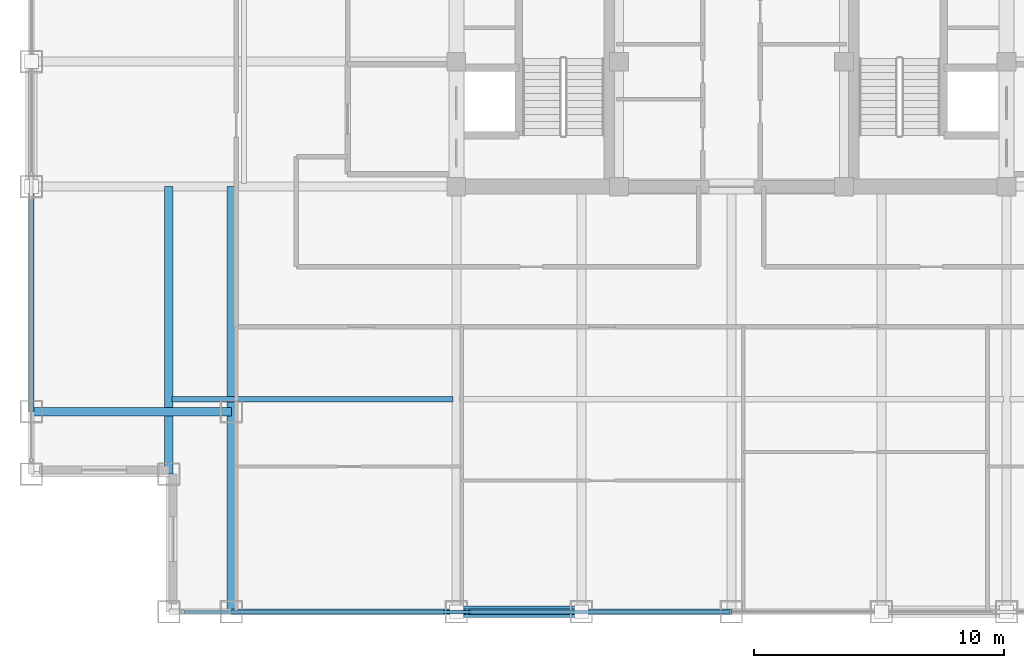
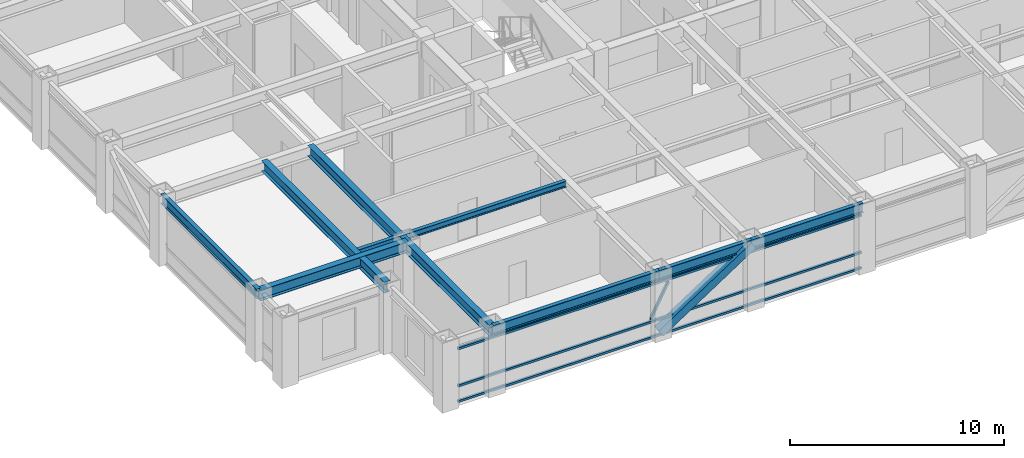
# One storey, part 3 of 22: 8 beams, 5 members, 1 element without a shape of its own.
"""IFC4 building model written with IfcOpenShell, lengths in metres."""

from ifc_helpers import new_model, si_unit, direction, frame, origin, origin_2d, place, context, subcontext, project, spatial, hollow_rectangle, i_section, extrude, source, transform, mapped, material, material_profile, profile_set, type_object, element, aggregate, save


model = new_model("IFC4")

# Units and contexts
model_context = context("Model", 3, precision=1e-05, world=origin(), true_north=direction((0.0, 1.0)))
body_context = subcontext(model_context, "Body", "Model", "MODEL_VIEW")
ifc_project = project(units=[si_unit("LENGTHUNIT", "METRE"), si_unit("AREAUNIT", "SQUARE_METRE"), si_unit("VOLUMEUNIT", "CUBIC_METRE"), si_unit("PLANEANGLEUNIT", "RADIAN"), si_unit("MASSUNIT", "GRAM", prefix="KILO")], contexts=[model_context])

# Site, building, storey
site_placement = place(None, origin())
site = spatial("IfcSite", under=ifc_project, at=site_placement, CompositionType="ELEMENT")
building_placement = place(site_placement, origin())
building = spatial("IfcBuilding", under=site, at=building_placement, Name="Khorayat Bourse Tower", CompositionType="ELEMENT")
storey_placement = place(building_placement, frame((0.0, 0.0, 297.5)))
storey = spatial("IfcBuildingStorey", under=building, at=storey_placement, Name="L70", CompositionType="ELEMENT", Elevation=297.5)

# Beam
ifc_material_1 = material(Name="Steel ASTM A992 Grade 50", Category="steel")
ifc_material_profile_1 = material_profile(ifc_material_1, i_section(OverallWidth=0.324951171875, OverallDepth=0.615966796875, WebThickness=0.013916015625, FlangeThickness=0.021484375, FilletRadius=0.01611328125, at=origin_2d()), Name="W610X174")
ifc_profile_set_1 = profile_set([ifc_material_profile_1], Name="Steel ASTM A992 Grade 50")
beam_type_1 = type_object("IfcBeamType", Name="BM-GIRD-610", PredefinedType="BEAM", material=ifc_profile_set_1)
shared_shape_1 = source(origin(), body_context, "Body", "SweptSolid", [
    extrude(i_section(OverallWidth=0.324951171875, OverallDepth=0.615966796875, WebThickness=0.013916015625, FlangeThickness=0.021484375, FilletRadius=0.01611328125, at=origin_2d()), origin(), (0.0, 0.0, 1.0), 17.0),
])
beam_1_placement = place(storey_placement, frame((-20.0, -28.0, 3.471923828125), z_axis=(0.0, 1.0, 0.0), x_axis=(-1.0, 0.0, 0.0)))
element("IfcBeam", 1, at=beam_1_placement, inside=storey, type_object=beam_type_1, Name="L70 BM-GIRD-610 BM-L70-CNRY-084", PredefinedType="BEAM", context=body_context, shape_type="MappedRepresentation", body=[
    mapped(shared_shape_1, transform((0.0, 0.0, 0.0), scale=1.0)),
])

# Member
ifc_material_2 = material(Name="Steel EN 10025-4 S460M", Category="steel")
ifc_material_profile_2 = material_profile(ifc_material_2, hollow_rectangle(XDim=0.449951171875, YDim=0.449951171875, WallThickness=0.02490234375, at=origin_2d()), Name="HSS 450x450x25")
ifc_profile_set_2 = profile_set([ifc_material_profile_2], Name="Steel EN 10025-4 S460M")
member_type_1 = type_object("IfcMemberType", Name="MBR-TUBE-450", PredefinedType="BRACE", material=ifc_profile_set_2)
shared_shape_2 = source(origin(), body_context, "Body", "SweptSolid", [
    extrude(hollow_rectangle(XDim=0.449951171875, YDim=0.449951171875, WallThickness=0.02490234375, at=origin_2d()), origin(), (0.0, 0.0, 1.0), 5.979736328125),
])
member_1_placement = place(storey_placement, frame((-11.0, -28.0, 0.25), z_axis=(0.836141536525, 0.0, 0.548513747227), x_axis=(0.0, 1.0, 0.0)))
element("IfcMember", 2, at=member_1_placement, inside=storey, type_object=member_type_1, Name="L70 Perimeter Tube Brace 01", PredefinedType="BRACE", context=body_context, shape_type="MappedRepresentation", body=[
    mapped(shared_shape_2, transform((0.0, 0.0, 0.0), scale=1.0)),
])

# Beams
shared_shape_3 = source(origin(), body_context, "Body", "SweptSolid", [
    extrude(i_section(OverallWidth=0.324951171875, OverallDepth=0.615966796875, WebThickness=0.013916015625, FlangeThickness=0.021484375, FilletRadius=0.01611328125, at=origin_2d()), origin(), (0.0, 0.0, 1.0), 11.5),
])
beam_2_placement = place(storey_placement, frame((-22.5, -22.5, 3.471923828125), z_axis=(0.0, 1.0, 0.0), x_axis=(-1.0, 0.0, 0.0)))
element("IfcBeam", 3, at=beam_2_placement, inside=storey, type_object=beam_type_1, Name="L70 BM-GIRD-610 BM-L70-CNRY-088", PredefinedType="BEAM", context=body_context, shape_type="MappedRepresentation", body=[
    mapped(shared_shape_3, transform((0.0, 0.0, 0.0), scale=1.0)),
])
shared_shape_4 = source(origin(), body_context, "Body", "SweptSolid", [
    extrude(i_section(OverallWidth=0.324951171875, OverallDepth=0.615966796875, WebThickness=0.013916015625, FlangeThickness=0.021484375, FilletRadius=0.01611328125, at=origin_2d()), origin(), (0.0, 0.0, 1.0), 8.0),
])
beam_3_placement = place(storey_placement, frame((-28.0, -20.0, 3.471923828125), z_axis=(1.0, 0.0, 0.0), x_axis=(0.0, 1.0, 0.0)))
element("IfcBeam", 4, at=beam_3_placement, inside=storey, type_object=beam_type_1, Name="L70 BM-GIRD-610 BM-L70-CNRX-093", PredefinedType="BEAM", context=body_context, shape_type="MappedRepresentation", body=[
    mapped(shared_shape_4, transform((0.0, 0.0, 0.0), scale=1.0)),
])
ifc_material_profile_3 = material_profile(ifc_material_1, i_section(OverallWidth=0.202880859375, OverallDepth=0.346923828125, WebThickness=0.0078125, FlangeThickness=0.013427734375, FilletRadius=0.010009765625, at=origin_2d()), Name="W360X64")
ifc_profile_set_3 = profile_set([ifc_material_profile_3], Name="Steel ASTM A992 Grade 50")
beam_type_2 = type_object("IfcBeamType", Name="BM-JOIST-360", PredefinedType="JOIST", material=ifc_profile_set_3)
shared_shape_5 = source(origin(), body_context, "Body", "SweptSolid", [
    extrude(i_section(OverallWidth=0.202880859375, OverallDepth=0.346923828125, WebThickness=0.0078125, FlangeThickness=0.013427734375, FilletRadius=0.010009765625, at=origin_2d()), origin(), (0.0, 0.0, 1.0), 11.240234375),
])
beam_4_placement = place(storey_placement, frame((-22.3701171875, -19.5, 3.6064453125), z_axis=(1.0, 0.0, 0.0), x_axis=(0.0, 1.0, 0.0)))
element("IfcBeam", 5, at=beam_4_placement, inside=storey, type_object=beam_type_2, Name="L70 BM-JOIST-360 BM-L70-JSTX-096", PredefinedType="JOIST", context=body_context, shape_type="MappedRepresentation", body=[
    mapped(shared_shape_5, transform((0.0, 0.0, 0.0), scale=1.0)),
])
ifc_material_profile_4 = material_profile(ifc_material_1, i_section(OverallWidth=0.214111328125, OverallDepth=0.549072265625, WebThickness=0.0146484375, FlangeThickness=0.023681640625, FilletRadius=0.013916015625, at=origin_2d()), Name="W530X138")
ifc_profile_set_4 = profile_set([ifc_material_profile_4], Name="Steel ASTM A992 Grade 50")
beam_type_3 = type_object("IfcBeamType", Name="BM-SPAN-530", PredefinedType="SPANDREL", material=ifc_profile_set_4)
shared_shape_6 = source(origin(), body_context, "Body", "SweptSolid", [
    extrude(i_section(OverallWidth=0.214111328125, OverallDepth=0.549072265625, WebThickness=0.0146484375, FlangeThickness=0.023681640625, FilletRadius=0.013916015625, at=origin_2d()), origin(), (0.0, 0.0, 1.0), 9.0),
])
for number, where, z_axis, x_axis, name in (
    (6, (-20.0, -28.0, 3.505615234375), (1.0, 0.0, 0.0), (0.0, 1.0, 0.0), "L70 BM-SPAN-530 BM-L70-SPN-025"),
    (7, (-28.0, -20.0, 3.505615234375), (0.0, 1.0, 0.0), (-1.0, 0.0, 0.0), "L70 BM-SPAN-530 BM-L70-SPN-060"),
):
    element("IfcBeam", number, at=place(storey_placement, frame(where, z_axis=z_axis, x_axis=x_axis)), inside=storey, type_object=beam_type_3, Name=name, PredefinedType="SPANDREL", context=body_context, shape_type="MappedRepresentation", body=[
        mapped(shared_shape_6, transform((0.0, 0.0, 0.0), scale=1.0)),
    ])
shared_shape_7 = source(origin(), body_context, "Body", "SweptSolid", [
    extrude(i_section(OverallWidth=0.214111328125, OverallDepth=0.549072265625, WebThickness=0.0146484375, FlangeThickness=0.023681640625, FilletRadius=0.013916015625, at=origin_2d()), origin(), (0.0, 0.0, 1.0), 5.0),
])
beam_5_placement = place(storey_placement, frame((-11.0, -28.0, 3.505615234375), z_axis=(1.0, 0.0, 0.0), x_axis=(0.0, 1.0, 0.0)))
element("IfcBeam", 8, at=beam_5_placement, inside=storey, type_object=beam_type_3, Name="L70 BM-SPAN-530 BM-L70-SPN-026", PredefinedType="SPANDREL", context=body_context, shape_type="MappedRepresentation", body=[
    mapped(shared_shape_7, transform((0.0, 0.0, 0.0), scale=1.0)),
])
shared_shape_8 = source(origin(), body_context, "Body", "SweptSolid", [
    extrude(i_section(OverallWidth=0.214111328125, OverallDepth=0.549072265625, WebThickness=0.0146484375, FlangeThickness=0.023681640625, FilletRadius=0.013916015625, at=origin_2d()), origin(), (0.0, 0.0, 1.0), 6.0),
])
beam_6_placement = place(storey_placement, frame((-6.0, -28.0, 3.505615234375), z_axis=(1.0, 0.0, 0.0), x_axis=(0.0, 1.0, 0.0)))
element("IfcBeam", 9, at=beam_6_placement, inside=storey, type_object=beam_type_3, Name="L70 BM-SPAN-530 BM-L70-SPN-027", PredefinedType="SPANDREL", context=body_context, shape_type="MappedRepresentation", body=[
    mapped(shared_shape_8, transform((0.0, 0.0, 0.0), scale=1.0)),
])

# Curtain wall, members
ifc_material_3 = material(Name="Aluminium EN AW-6063 T6", Category="aluminium")
curtain_wall_type = type_object("IfcCurtainWallType", Name="CW-SYS-04", PredefinedType="NOTDEFINED", material=ifc_material_3)
curtain_wall_placement = place(storey_placement, origin())
curtain_wall = element("IfcCurtainWall", 10, at=curtain_wall_placement, inside=storey, type_object=curtain_wall_type, Name="L70 Curtain Wall CW-L70-S1", PredefinedType="NOTDEFINED")
ifc_material_profile_5 = material_profile(ifc_material_3, hollow_rectangle(XDim=0.1201171875, YDim=0.1201171875, WallThickness=0.0048828125, at=origin_2d()), Name="ALU 120x120x5")
ifc_profile_set_5 = profile_set([ifc_material_profile_5], Name="Aluminium EN AW-6063 T6")
member_type_2 = type_object("IfcMemberType", Name="CWM-DIAG-120", PredefinedType="MULLION", material=ifc_profile_set_5)
shared_shape_9 = source(origin(), body_context, "Body", "SweptSolid", [
    extrude(hollow_rectangle(XDim=0.1201171875, YDim=0.1201171875, WallThickness=0.0048828125, at=origin_2d()), origin(), (0.0, 0.0, 1.0), 2.0791015625),
])
member_2_placement = place(storey_placement, frame((-11.4541015625, -28.0, 1.090087890625), z_axis=(0.465717394116, 0.0, 0.884933505309), x_axis=(0.0, 1.0, 0.0)))
member_2 = element("IfcMember", 11, at=member_2_placement, type_object=member_type_2, Name="CW-L70-S1 Faceted Diagonal Mullion 1", PredefinedType="MULLION", context=body_context, shape_type="MappedRepresentation", body=[
    mapped(shared_shape_9, transform((0.0, 0.0, 0.0), scale=1.0)),
])
ifc_material_profile_6 = material_profile(ifc_material_3, hollow_rectangle(XDim=0.1201171875, YDim=0.1201171875, WallThickness=0.0048828125, at=origin_2d()), Name="ALU 120x120x5")
ifc_profile_set_6 = profile_set([ifc_material_profile_6], Name="Aluminium EN AW-6063 T6")
member_type_3 = type_object("IfcMemberType", Name="CWT-HORZ-120", PredefinedType="USERDEFINED", material=ifc_profile_set_6)
shared_shape_10 = source(origin(), body_context, "Body", "SweptSolid", [
    extrude(hollow_rectangle(XDim=0.1201171875, YDim=0.1201171875, WallThickness=0.0048828125, at=origin_2d()), origin(), (0.0, 0.0, 1.0), 21.81982421875),
])
member_3_placement = place(storey_placement, frame((-21.8798828125, -28.0, 0.06005859375), z_axis=(1.0, 0.0, 0.0), x_axis=(0.0, 1.0, 0.0)))
member_3 = element("IfcMember", 12, at=member_3_placement, type_object=member_type_3, Name="CW-L70-S1 Horizontal Transom 1-1", ObjectType="TRANSOM", PredefinedType="USERDEFINED", context=body_context, shape_type="MappedRepresentation", body=[
    mapped(shared_shape_10, transform((0.0, 0.0, 0.0), scale=1.0)),
])
member_4_placement = place(storey_placement, frame((-21.8798828125, -28.0, 0.949951171875), z_axis=(1.0, 0.0, 0.0), x_axis=(0.0, 1.0, 0.0)))
member_4 = element("IfcMember", 13, at=member_4_placement, type_object=member_type_3, Name="CW-L70-S1 Horizontal Transom 1-2", ObjectType="TRANSOM", PredefinedType="USERDEFINED", context=body_context, shape_type="MappedRepresentation", body=[
    mapped(shared_shape_10, transform((0.0, 0.0, 0.0), scale=1.0)),
])
member_5_placement = place(storey_placement, frame((-21.8798828125, -28.0, 3.070068359375), z_axis=(1.0, 0.0, 0.0), x_axis=(0.0, 1.0, 0.0)))
member_5 = element("IfcMember", 14, at=member_5_placement, type_object=member_type_3, Name="CW-L70-S1 Horizontal Transom 1-3", ObjectType="TRANSOM", PredefinedType="USERDEFINED", context=body_context, shape_type="MappedRepresentation", body=[
    mapped(shared_shape_10, transform((0.0, 0.0, 0.0), scale=1.0)),
])
aggregate(curtain_wall, [member_3, member_4, member_5, member_2])

save(model, "model.ifc")
